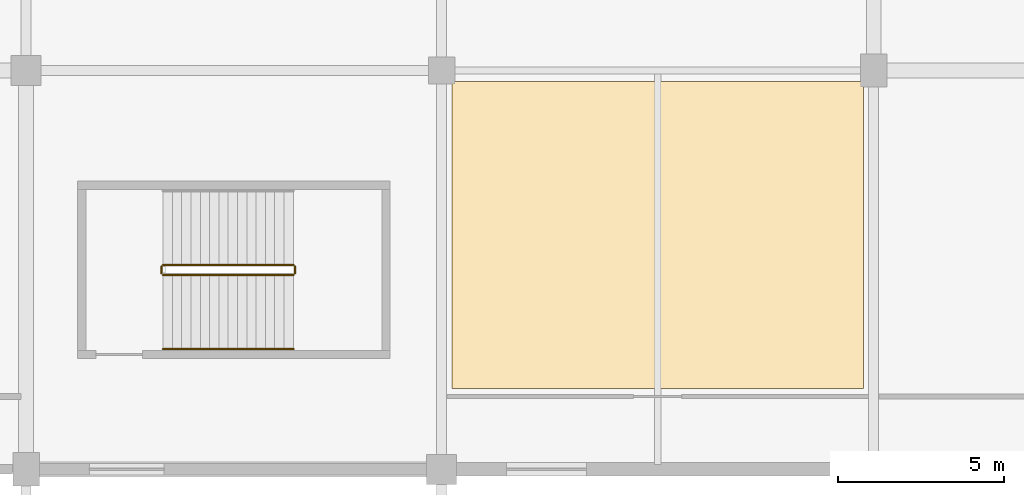
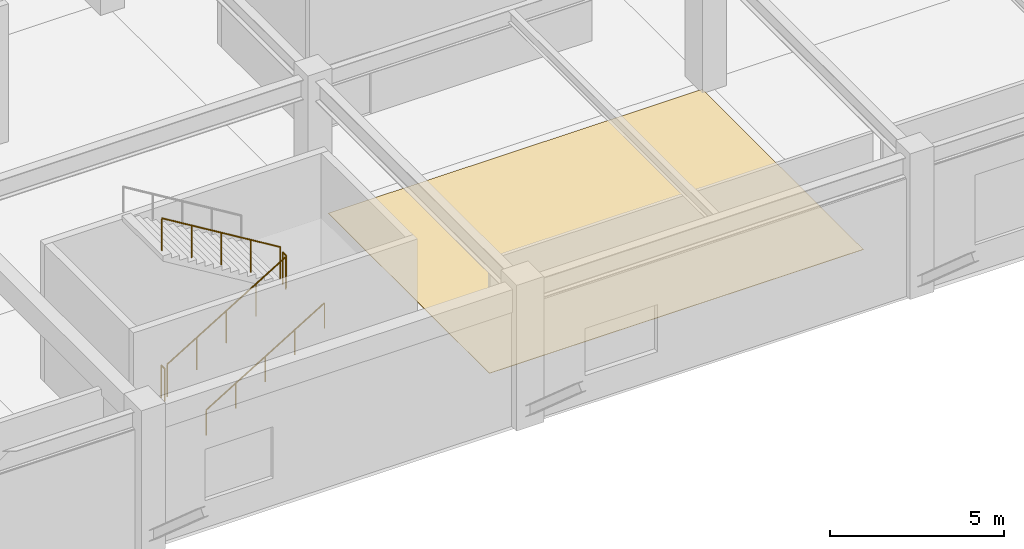
# One storey, part 100 of 116: 5 railings, 1 covering.
"""IFC4 building model written with IfcOpenShell, lengths in metres."""

from ifc_helpers import new_model, si_unit, direction, frame, origin, origin_2d, place, context, subcontext, project, spatial, polyline, circle, outline, extrude, material, layer, layer_set, type_object, element, save


model = new_model("IFC4")

# Units and contexts
model_context = context("Model", 3, precision=1e-05, world=origin(), true_north=direction((0.0, 1.0)))
body_context = subcontext(model_context, "Body", "Model", "MODEL_VIEW")
ifc_project = project(units=[si_unit("LENGTHUNIT", "METRE"), si_unit("AREAUNIT", "SQUARE_METRE"), si_unit("VOLUMEUNIT", "CUBIC_METRE"), si_unit("PLANEANGLEUNIT", "RADIAN"), si_unit("MASSUNIT", "GRAM", prefix="KILO")], contexts=[model_context])

# Site, building, storey
site_placement = place(None, origin())
site = spatial("IfcSite", under=ifc_project, at=site_placement, CompositionType="ELEMENT")
building_placement = place(site_placement, origin())
building = spatial("IfcBuilding", under=site, at=building_placement, Name="Kazenohara Klinker Stadium", CompositionType="ELEMENT")
storey_placement = place(building_placement, frame((0.0, 0.0, 10.199951171875)))
storey = spatial("IfcBuildingStorey", under=building, at=storey_placement, Name="L02", CompositionType="ELEMENT", Elevation=10.199951171875)

# Covering
ifc_material_1 = material(Name="Cushioned EPDM sports rubber flooring", Category="rubber")
ifc_layer_1 = layer(ifc_material_1, 0.014892578125)
ifc_layer_set_1 = layer_set([ifc_layer_1], Name="Cushioned EPDM sports rubber flooring")
covering_type = type_object("IfcCoveringType", Name="COV-FLR-02", PredefinedType="FLOORING", material=ifc_layer_set_1)
covering_placement = place(storey_placement, origin())
element("IfcCovering", 1, at=covering_placement, inside=storey, type_object=covering_type, Name="Interior floor finish FL02 Founders Club Hospitality Lounge L02-0811A", PredefinedType="FLOORING", context=body_context, shape_type="SweptSolid", body=[
    extrude(outline(polyline([(99.31005859375, 134.429931640625), (111.68994140625, 134.429931640625), (111.68994140625, 143.669921875), (99.31005859375, 143.669921875), (99.31005859375, 134.429931640625)])), origin(), (0.0, 0.0, 1.0), 0.01513671875),
])

# Railings
ifc_material_2 = material(Name="Brushed stainless steel 304 handrail", Category="steel")
ifc_layer_2 = layer(ifc_material_2, 0.050048828125)
ifc_layer_set_2 = layer_set([ifc_layer_2], Name="Brushed stainless steel 304 handrail")
railing_type_1 = type_object("IfcRailingType", Name="RL-HND-900", PredefinedType="HANDRAIL", material=ifc_layer_set_2)
railing_1_placement = place(storey_placement, frame((90.6201171875, 135.6201171875, 0.170166015625)))
element("IfcRailing", 2, at=railing_1_placement, inside=storey, type_object=railing_type_1, Name="L02 ST19 stair handrail 1", PredefinedType="HANDRAIL", context=body_context, shape_type="SweptSolid", body=[
    extrude(circle(Radius=0.02392578125, at=origin_2d()), frame((0.0, 0.0, 0.8759765625), z_axis=(0.854794262968, 0.0, 0.518967020143), x_axis=(0.0, 1.0, 0.0)), (0.0, 0.0, 1.0), 4.585693359375),
    extrude(circle(Radius=0.02099609375, at=origin_2d()), origin(), (0.0, 0.0, 1.0), 0.851806640625),
    extrude(circle(Radius=0.02099609375, at=origin_2d()), frame((0.97998046875, 0.0, 0.594970703125)), (0.0, 0.0, 1.0), 0.851806640625),
    extrude(circle(Radius=0.02099609375, at=origin_2d()), frame((1.9599609375, 0.0, 1.18994140625)), (0.0, 0.0, 1.0), 0.851806640625),
    extrude(circle(Radius=0.02099609375, at=origin_2d()), frame((2.93994140625, 0.0, 1.784912109375)), (0.0, 0.0, 1.0), 0.851806640625),
    extrude(circle(Radius=0.02099609375, at=origin_2d()), frame((3.919921875, 0.0, 2.3798828125)), (0.0, 0.0, 1.0), 0.851806640625),
])
ifc_material_3 = material(Name="Painted steel stairwell guardrail", Category="steel")
ifc_layer_3 = layer(ifc_material_3, 0.06005859375)
ifc_layer_set_3 = layer_set([ifc_layer_3], Name="Painted steel stairwell guardrail")
railing_type_2 = type_object("IfcRailingType", Name="RL-STG-1120", PredefinedType="GUARDRAIL", material=ifc_layer_set_3)
railing_2_placement = place(storey_placement, frame((90.6201171875, 137.85009765625, 0.170166015625)))
element("IfcRailing", 3, at=railing_2_placement, inside=storey, type_object=railing_type_2, Name="L02 ST19 stair guard 1", PredefinedType="GUARDRAIL", context=body_context, shape_type="SweptSolid", body=[
    extrude(circle(Radius=0.02392578125, at=origin_2d()), frame((0.0, 0.0, 1.1259765625), z_axis=(0.854794262968, 0.0, 0.518967020143), x_axis=(0.0, 1.0, 0.0)), (0.0, 0.0, 1.0), 4.585693359375),
    extrude(circle(Radius=0.02099609375, at=origin_2d()), origin(), (0.0, 0.0, 1.0), 1.101806640625),
    extrude(circle(Radius=0.02099609375, at=origin_2d()), frame((0.97998046875, 0.0, 0.594970703125)), (0.0, 0.0, 1.0), 1.101806640625),
    extrude(circle(Radius=0.02099609375, at=origin_2d()), frame((1.9599609375, 0.0, 1.18994140625)), (0.0, 0.0, 1.0), 1.101806640625),
    extrude(circle(Radius=0.02099609375, at=origin_2d()), frame((2.93994140625, 0.0, 1.784912109375)), (0.0, 0.0, 1.0), 1.101806640625),
    extrude(circle(Radius=0.02099609375, at=origin_2d()), frame((3.919921875, 0.0, 2.3798828125)), (0.0, 0.0, 1.0), 1.101806640625),
])
railing_3_placement = place(storey_placement, frame((94.590087890625, 137.89990234375, 2.550048828125)))
element("IfcRailing", 4, at=railing_3_placement, inside=storey, type_object=railing_type_2, Name="L02 ST19 stair guard 2", PredefinedType="GUARDRAIL", context=body_context, shape_type="SweptSolid", body=[
    extrude(circle(Radius=0.02392578125, at=origin_2d()), frame((0.0, 0.0, 1.1259765625), z_axis=(0.0, 1.0, 0.0), x_axis=(-1.0, 0.0, 0.0)), (0.0, 0.0, 1.0), 0.2001953125),
    extrude(circle(Radius=0.02099609375, at=origin_2d()), origin(), (0.0, 0.0, 1.0), 1.101806640625),
    extrude(circle(Radius=0.02099609375, at=origin_2d()), frame((0.0, 0.2001953125, 0.0)), (0.0, 0.0, 1.0), 1.101806640625),
])
railing_4_placement = place(storey_placement, frame((94.5400390625, 138.14990234375, 2.719970703125)))
element("IfcRailing", 5, at=railing_4_placement, inside=storey, type_object=railing_type_2, Name="L02 ST19 stair guard 3", PredefinedType="GUARDRAIL", context=body_context, shape_type="SweptSolid", body=[
    extrude(circle(Radius=0.02392578125, at=origin_2d()), frame((0.0, 0.0, 1.1259765625), z_axis=(-0.854770645689, 0.0, 0.519005918337), x_axis=(0.0, -1.0, 0.0)), (0.0, 0.0, 1.0), 4.5859375),
    extrude(circle(Radius=0.02099609375, at=origin_2d()), origin(), (0.0, 0.0, 1.0), 1.101806640625),
    extrude(circle(Radius=0.02099609375, at=origin_2d()), frame((-0.97998046875, 0.0, 0.594970703125)), (0.0, 0.0, 1.0), 1.101806640625),
    extrude(circle(Radius=0.02099609375, at=origin_2d()), frame((-1.9599609375, 0.0, 1.18994140625)), (0.0, 0.0, 1.0), 1.101806640625),
    extrude(circle(Radius=0.02099609375, at=origin_2d()), frame((-2.93994140625, 0.0, 1.78515625)), (0.0, 0.0, 1.0), 1.101806640625),
    extrude(circle(Radius=0.02099609375, at=origin_2d()), frame((-3.919921875, 0.0, 2.380126953125)), (0.0, 0.0, 1.0), 1.101806640625),
])
railing_5_placement = place(storey_placement, frame((90.570068359375, 137.89990234375, 0.0)))
element("IfcRailing", 6, at=railing_5_placement, inside=storey, type_object=railing_type_2, Name="L02 ST19 stair guard 4", PredefinedType="GUARDRAIL", context=body_context, shape_type="SweptSolid", body=[
    extrude(circle(Radius=0.02392578125, at=origin_2d()), frame((0.0, 0.0, 1.1259765625), z_axis=(0.0, 1.0, 0.0), x_axis=(-1.0, 0.0, 0.0)), (0.0, 0.0, 1.0), 0.2001953125),
    extrude(circle(Radius=0.02099609375, at=origin_2d()), origin(), (0.0, 0.0, 1.0), 1.101806640625),
    extrude(circle(Radius=0.02099609375, at=origin_2d()), frame((0.0, 0.2001953125, 0.0)), (0.0, 0.0, 1.0), 1.101806640625),
])

save(model, "model.ifc")
